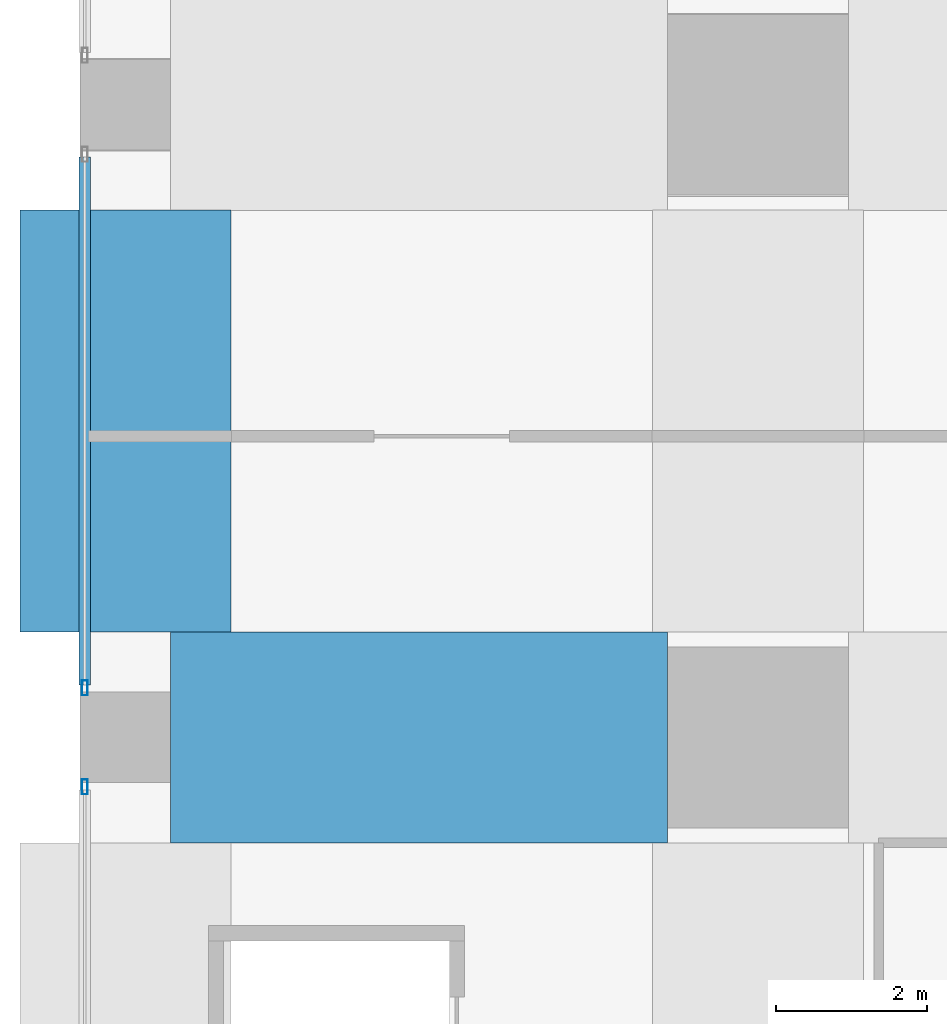
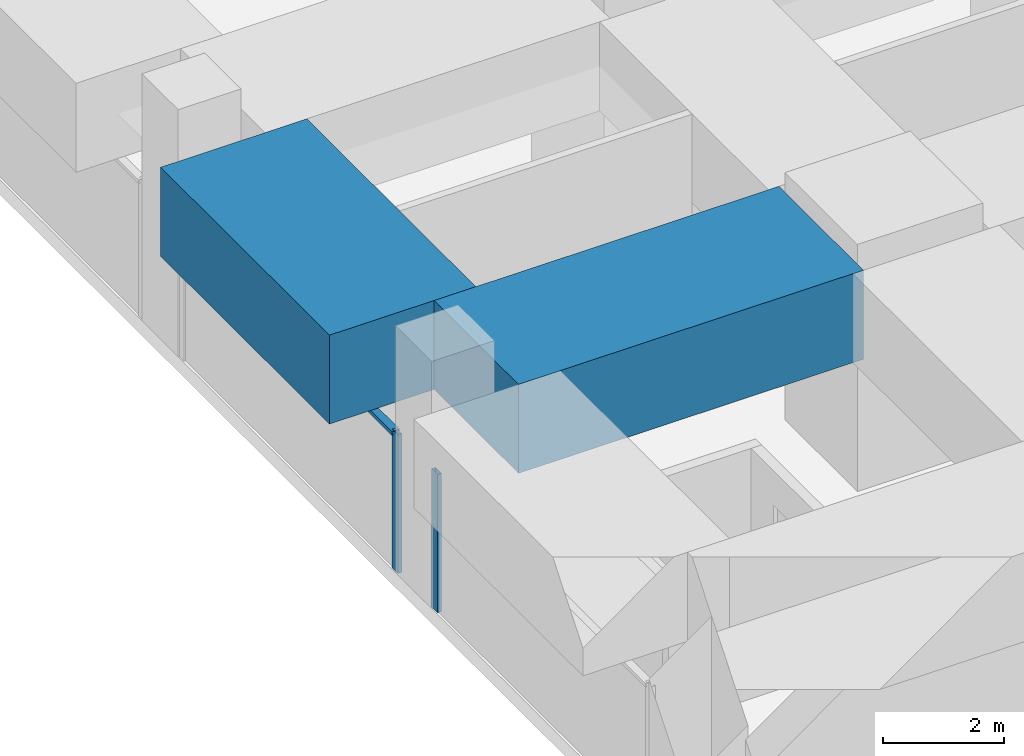
# One storey, part 19 of 52: 3 members, 2 beams, 2 elements without a shape of their own.
"""IFC4 building model written with IfcOpenShell, lengths in metres."""

from ifc_helpers import new_model, si_unit, direction, frame, origin, origin_2d, place, context, subcontext, project, spatial, rectangle, hollow_rectangle, extrude, material, material_profile, profile_set, type_object, element, aggregate, save


model = new_model("IFC4")

# Units and contexts
model_context = context("Model", 3, precision=1e-05, world=origin(), true_north=direction((0.0, 1.0)))
body_context = subcontext(model_context, "Body", "Model", "MODEL_VIEW")
ifc_project = project(units=[si_unit("LENGTHUNIT", "METRE"), si_unit("AREAUNIT", "SQUARE_METRE"), si_unit("VOLUMEUNIT", "CUBIC_METRE"), si_unit("PLANEANGLEUNIT", "RADIAN"), si_unit("MASSUNIT", "GRAM", prefix="KILO")], contexts=[model_context])

# Site, building, storey
site_placement = place(None, origin())
site = spatial("IfcSite", under=ifc_project, at=site_placement, CompositionType="ELEMENT")
building_placement = place(site_placement, origin())
building = spatial("IfcBuilding", under=site, at=building_placement, Name="Rekha Terrace Tower", CompositionType="ELEMENT")
storey_placement = place(building_placement, frame((0.0, 0.0, 20.39990234375)))
storey = spatial("IfcBuildingStorey", under=building, at=storey_placement, Name="L04", CompositionType="ELEMENT", Elevation=20.39990234375)

# Curtain wall, member
ifc_material_1 = material(Name="Aluminium framing", Category="aluminium")
curtain_wall_type = type_object("IfcCurtainWallType", Name="CW4 podium shopfront glazing", PredefinedType="USERDEFINED", material=ifc_material_1)
curtain_wall_1_placement = place(storey_placement, origin())
curtain_wall_1 = element("IfcCurtainWall", 1, at=curtain_wall_1_placement, inside=storey, type_object=curtain_wall_type, Name="CW4 shopfront curtain wall", ObjectType="SHOPFRONT CURTAIN WALL", PredefinedType="USERDEFINED")
ifc_material_2 = material(Name="Aluminium mullion section", Category="aluminium")
ifc_material_profile_1 = material_profile(ifc_material_2, hollow_rectangle(XDim=0.074951171875, YDim=0.199951171875, WallThickness=0.00390625, at=origin_2d()), Name="AL RHS 75x200")
ifc_profile_set_1 = profile_set([ifc_material_profile_1], Name="Aluminium mullion section")
member_type_1 = type_object("IfcMemberType", Name="CW4 mullion RHS 75 x 200", PredefinedType="MULLION", material=ifc_profile_set_1)
member_1_placement = place(storey_placement, frame((-0.5400390625, 42.657470703125, 0.0), z_axis=(0.0, 0.0, 1.0), x_axis=(1.0, 0.0, 0.0)))
member_1 = element("IfcMember", 2, at=member_1_placement, type_object=member_type_1, Name="CW4 mullion 2", PredefinedType="MULLION", context=body_context, shape_type="SweptSolid", body=[
    extrude(hollow_rectangle(XDim=0.074951171875, YDim=0.199951171875, WallThickness=0.00390625, at=origin_2d()), origin(), (0.0, 0.0, 1.0), 2.800048828125),
])

curtain_wall_2_placement = place(storey_placement, origin())
curtain_wall_2 = element("IfcCurtainWall", 3, at=curtain_wall_2_placement, inside=storey, type_object=curtain_wall_type, Name="CW4 shopfront curtain wall", ObjectType="SHOPFRONT CURTAIN WALL", PredefinedType="USERDEFINED")
member_2_placement = place(storey_placement, frame((-0.5400390625, 41.342529296875, 0.0), z_axis=(0.0, 0.0, 1.0), x_axis=(1.0, 0.0, 0.0)))
member_2 = element("IfcMember", 4, at=member_2_placement, type_object=member_type_1, Name="CW4 mullion 1", PredefinedType="MULLION", context=body_context, shape_type="SweptSolid", body=[
    extrude(hollow_rectangle(XDim=0.074951171875, YDim=0.199951171875, WallThickness=0.00390625, at=origin_2d()), origin(), (0.0, 0.0, 1.0), 2.800048828125),
])
aggregate(curtain_wall_2, [member_2])

# Member
ifc_material_3 = material(Name="Aluminium transom section", Category="aluminium")
ifc_material_profile_2 = material_profile(ifc_material_3, hollow_rectangle(XDim=0.14990234375, YDim=0.074951171875, WallThickness=0.0029296875, at=origin_2d()), Name="AL RHS 150x75")
ifc_profile_set_2 = profile_set([ifc_material_profile_2], Name="Aluminium transom section")
member_type_2 = type_object("IfcMemberType", Name="CW4 transom RHS 75 x 150", PredefinedType="USERDEFINED", material=ifc_profile_set_2)
member_3_placement = place(storey_placement, frame((-0.5400390625, 49.705078125, 2.7626953125), z_axis=(0.0, -1.0, 0.0), x_axis=(1.0, 0.0, 0.0)))
member_3 = element("IfcMember", 5, at=member_3_placement, type_object=member_type_2, Name="CW4 transom 1.2", ObjectType="TRANSOM", PredefinedType="USERDEFINED", context=body_context, shape_type="SweptSolid", body=[
    extrude(hollow_rectangle(XDim=0.14990234375, YDim=0.074951171875, WallThickness=0.0029296875, at=origin_2d()), origin(), (0.0, 0.0, 1.0), 7.010009765625),
])

aggregate(curtain_wall_1, [member_1, member_3])

# Beams
ifc_material_4 = material(Name="Concrete M70", Category="concrete")
ifc_material_profile_3 = material_profile(ifc_material_4, rectangle(XDim=2.800048828125, YDim=1.800048828125, at=origin_2d()), Name="RC 2800x1800")
ifc_profile_set_3 = profile_set([ifc_material_profile_3], Name="Concrete M70")
beam_type = type_object("IfcBeamType", Name="G2 2800x1800 podium roof band beam", PredefinedType="BEAM", material=ifc_profile_set_3)
beam_1_placement = place(storey_placement, frame((0.60009765625, 42.0, 3.7001953125), z_axis=(1.0, 0.0, 0.0), x_axis=(0.0, 1.0, 0.0)))
element("IfcBeam", 6, at=beam_1_placement, inside=storey, type_object=beam_type, Name="Beam G2 1F-2F under L05", PredefinedType="BEAM", context=body_context, shape_type="SweptSolid", body=[
    extrude(rectangle(XDim=2.800048828125, YDim=1.800048828125, at=origin_2d()), origin(), (0.0, 0.0, 1.0), 6.599853515625),
])
beam_2_placement = place(storey_placement, frame((0.0, 43.39990234375, 3.7001953125), z_axis=(0.0, 1.0, 0.0), x_axis=(-1.0, 0.0, 0.0)))
element("IfcBeam", 7, at=beam_2_placement, inside=storey, type_object=beam_type, Name="Beam G2 1F-1G under L05", PredefinedType="BEAM", context=body_context, shape_type="SweptSolid", body=[
    extrude(rectangle(XDim=2.800048828125, YDim=1.800048828125, at=origin_2d()), origin(), (0.0, 0.0, 1.0), 5.60009765625),
])

save(model, "model.ifc")
